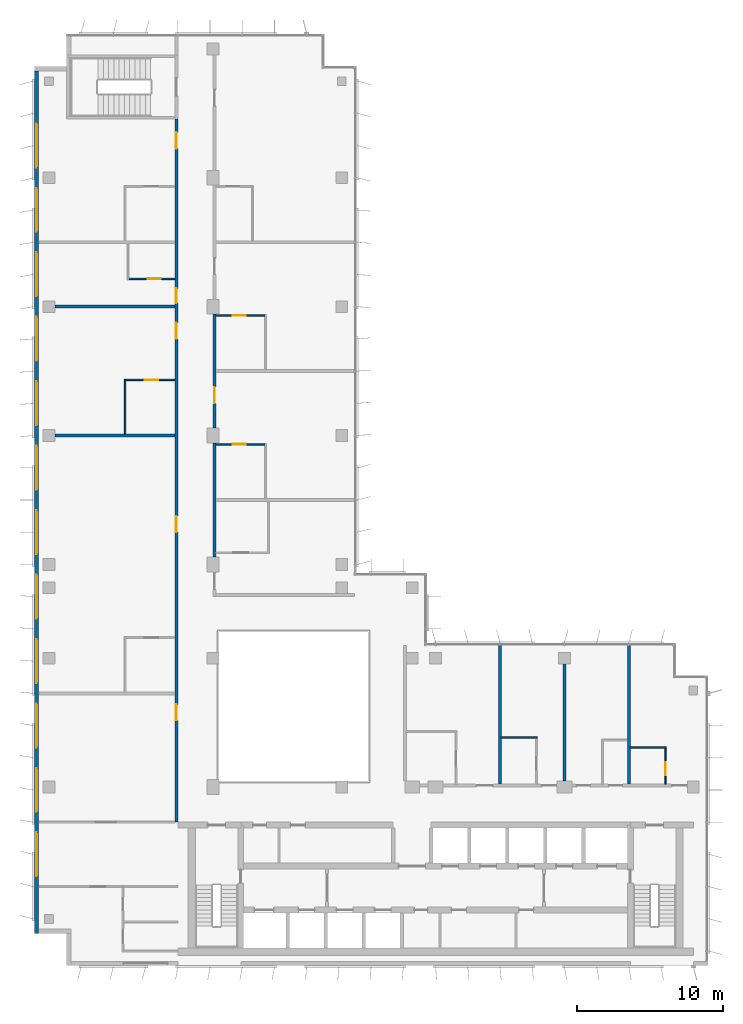
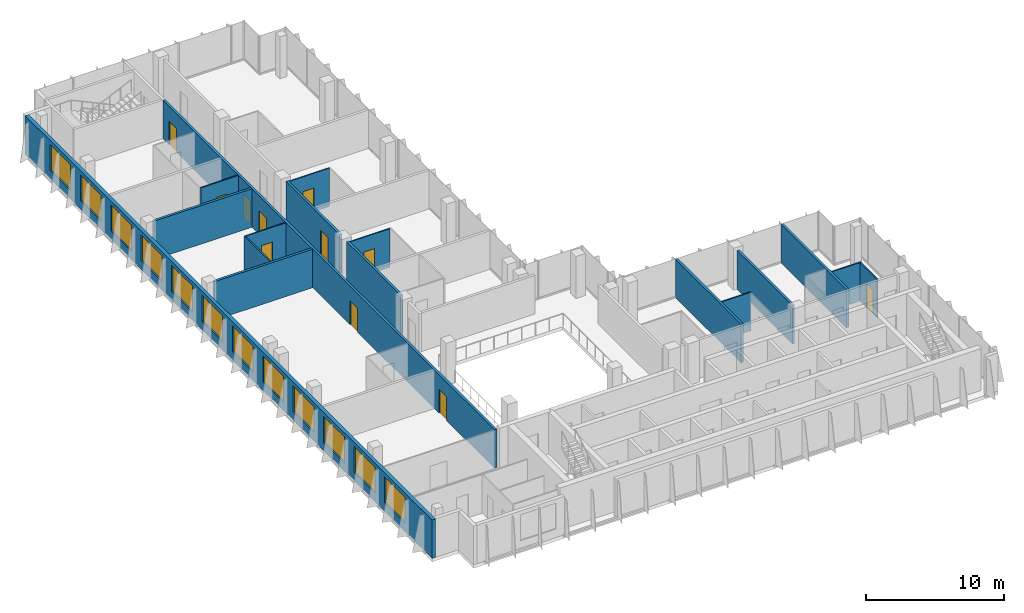
# One storey, part 11 of 15: 17 walls, 12 windows, 11 doors, 23 openings.
"""IFC4 building model written with IfcOpenShell, lengths in metres."""

from ifc_helpers import new_model, si_unit, direction, frame, frame_2d, origin, place, context, subcontext, project, spatial, rectangle, extrude, material, layer, layer_set, type_object, element, fill, save


model = new_model("IFC4")

# Units and contexts
model_context = context("Model", 3, precision=1e-05, world=origin(), true_north=direction((0.0, 1.0)))
body_context = subcontext(model_context, "Body", "Model", "MODEL_VIEW")
ifc_project = project(units=[si_unit("LENGTHUNIT", "METRE"), si_unit("AREAUNIT", "SQUARE_METRE"), si_unit("VOLUMEUNIT", "CUBIC_METRE"), si_unit("PLANEANGLEUNIT", "RADIAN"), si_unit("MASSUNIT", "GRAM", prefix="KILO")], contexts=[model_context])

# Site, building, storey
site_placement = place(None, origin())
site = spatial("IfcSite", under=ifc_project, at=site_placement, CompositionType="ELEMENT")
building_placement = place(site_placement, origin())
building = spatial("IfcBuilding", under=site, at=building_placement, Name="Kemantara Hotel Tower", CompositionType="ELEMENT")
storey_placement = place(building_placement, frame((0.0, 0.0, 290.699951171875)))
storey = spatial("IfcBuildingStorey", under=building, at=storey_placement, Name="L73", CompositionType="ELEMENT", Elevation=290.699951171875)

# Wall, openings, windows
ifc_material_1 = material(Name="Bronze anodised aluminium cladding on insulated steel stud wall", Category="steel")
ifc_layer_1 = layer(ifc_material_1, 0.300048828125)
ifc_layer_set_1 = layer_set([ifc_layer_1], Name="Bronze anodised aluminium cladding on insulated steel stud wall")
wall_type_1 = type_object("IfcWallType", Name="BRONZE METAL-CLAD EXTERNAL WALL 300", PredefinedType="STANDARD", material=ifc_layer_set_1)
wall_1_placement = place(storey_placement, frame((0.14990234375, 61.10009765625, 0.0), z_axis=(0.0, 0.0, 1.0), x_axis=(0.0, -1.0, 0.0)))
wall_1 = element("IfcWall", 1, at=wall_1_placement, inside=storey, type_object=wall_type_1, Name="EXTERNAL WALL L73 T4-R05", PredefinedType="STANDARD", context=body_context, shape_type="SweptSolid", body=[
    extrude(rectangle(XDim=58.900146484375, YDim=0.300048828125, at=frame_2d((29.4501953125, 0.0))), origin(), (0.0, 0.0, 1.0), 3.400146484375),
])
opening_1_placement = place(wall_1_placement, frame((3.60009765625, 0.0, 0.75)))
opening_1 = element("IfcOpeningElement", 2, at=opening_1_placement, cuts=wall_1, Name="Opening W1", PredefinedType="OPENING", context=body_context, shape_type="SweptSolid", body=[
    extrude(rectangle(XDim=3.0, YDim=2.300048828125, at=frame_2d((1.5, 1.14990234375))), frame((0.0, 0.159912109375, 0.0), z_axis=(0.0, -1.0, 0.0), x_axis=(1.0, 0.0, 0.0)), (0.0, 0.0, 1.0), 0.320068359375),
])
opening_2_placement = place(wall_1_placement, frame((8.0, 0.0, 0.75)))
opening_2 = element("IfcOpeningElement", 3, at=opening_2_placement, cuts=wall_1, Name="Opening W1", PredefinedType="OPENING", context=body_context, shape_type="SweptSolid", body=[
    extrude(rectangle(XDim=3.0, YDim=2.300048828125, at=frame_2d((1.5, 1.14990234375))), frame((0.0, 0.159912109375, 0.0), z_axis=(0.0, -1.0, 0.0), x_axis=(1.0, 0.0, 0.0)), (0.0, 0.0, 1.0), 0.320068359375),
])
opening_3_placement = place(wall_1_placement, frame((12.39990234375, 0.0, 0.75)))
opening_3 = element("IfcOpeningElement", 4, at=opening_3_placement, cuts=wall_1, Name="Opening W1", PredefinedType="OPENING", context=body_context, shape_type="SweptSolid", body=[
    extrude(rectangle(XDim=3.0, YDim=2.300048828125, at=frame_2d((1.5, 1.14990234375))), frame((0.0, 0.159912109375, 0.0), z_axis=(0.0, -1.0, 0.0), x_axis=(1.0, 0.0, 0.0)), (0.0, 0.0, 1.0), 0.320068359375),
])
opening_4_placement = place(wall_1_placement, frame((16.800048828125, 0.0, 0.75)))
opening_4 = element("IfcOpeningElement", 5, at=opening_4_placement, cuts=wall_1, Name="Opening W1", PredefinedType="OPENING", context=body_context, shape_type="SweptSolid", body=[
    extrude(rectangle(XDim=3.0, YDim=2.300048828125, at=frame_2d((1.5, 1.14990234375))), frame((0.0, 0.159912109375, 0.0), z_axis=(0.0, -1.0, 0.0), x_axis=(1.0, 0.0, 0.0)), (0.0, 0.0, 1.0), 0.320068359375),
])
opening_5_placement = place(wall_1_placement, frame((21.199951171875, 0.0, 0.75)))
opening_5 = element("IfcOpeningElement", 6, at=opening_5_placement, cuts=wall_1, Name="Opening W1", PredefinedType="OPENING", context=body_context, shape_type="SweptSolid", body=[
    extrude(rectangle(XDim=3.0, YDim=2.300048828125, at=frame_2d((1.5, 1.14990234375))), frame((0.0, 0.159912109375, 0.0), z_axis=(0.0, -1.0, 0.0), x_axis=(1.0, 0.0, 0.0)), (0.0, 0.0, 1.0), 0.320068359375),
])
opening_6_placement = place(wall_1_placement, frame((25.60009765625, 0.0, 0.75)))
opening_6 = element("IfcOpeningElement", 7, at=opening_6_placement, cuts=wall_1, Name="Opening W1", PredefinedType="OPENING", context=body_context, shape_type="SweptSolid", body=[
    extrude(rectangle(XDim=3.0, YDim=2.300048828125, at=frame_2d((1.5, 1.14990234375))), frame((0.0, 0.159912109375, 0.0), z_axis=(0.0, -1.0, 0.0), x_axis=(1.0, 0.0, 0.0)), (0.0, 0.0, 1.0), 0.320068359375),
])
opening_7_placement = place(wall_1_placement, frame((30.0, 0.0, 0.75)))
opening_7 = element("IfcOpeningElement", 8, at=opening_7_placement, cuts=wall_1, Name="Opening W1", PredefinedType="OPENING", context=body_context, shape_type="SweptSolid", body=[
    extrude(rectangle(XDim=3.0, YDim=2.300048828125, at=frame_2d((1.5, 1.14990234375))), frame((0.0, 0.159912109375, 0.0), z_axis=(0.0, -1.0, 0.0), x_axis=(1.0, 0.0, 0.0)), (0.0, 0.0, 1.0), 0.320068359375),
])
opening_8_placement = place(wall_1_placement, frame((34.39990234375, 0.0, 0.75)))
opening_8 = element("IfcOpeningElement", 9, at=opening_8_placement, cuts=wall_1, Name="Opening W1", PredefinedType="OPENING", context=body_context, shape_type="SweptSolid", body=[
    extrude(rectangle(XDim=3.0, YDim=2.300048828125, at=frame_2d((1.5, 1.14990234375))), frame((0.0, 0.159912109375, 0.0), z_axis=(0.0, -1.0, 0.0), x_axis=(1.0, 0.0, 0.0)), (0.0, 0.0, 1.0), 0.320068359375),
])
opening_9_placement = place(wall_1_placement, frame((38.800048828125, 0.0, 0.75)))
opening_9 = element("IfcOpeningElement", 10, at=opening_9_placement, cuts=wall_1, Name="Opening W1", PredefinedType="OPENING", context=body_context, shape_type="SweptSolid", body=[
    extrude(rectangle(XDim=3.0, YDim=2.300048828125, at=frame_2d((1.5, 1.14990234375))), frame((0.0, 0.159912109375, 0.0), z_axis=(0.0, -1.0, 0.0), x_axis=(1.0, 0.0, 0.0)), (0.0, 0.0, 1.0), 0.320068359375),
])
opening_10_placement = place(wall_1_placement, frame((43.199951171875, 0.0, 0.75)))
opening_10 = element("IfcOpeningElement", 11, at=opening_10_placement, cuts=wall_1, Name="Opening W1", PredefinedType="OPENING", context=body_context, shape_type="SweptSolid", body=[
    extrude(rectangle(XDim=3.0, YDim=2.300048828125, at=frame_2d((1.5, 1.14990234375))), frame((0.0, 0.159912109375, 0.0), z_axis=(0.0, -1.0, 0.0), x_axis=(1.0, 0.0, 0.0)), (0.0, 0.0, 1.0), 0.320068359375),
])
opening_11_placement = place(wall_1_placement, frame((47.60009765625, 0.0, 0.75)))
opening_11 = element("IfcOpeningElement", 12, at=opening_11_placement, cuts=wall_1, Name="Opening W1", PredefinedType="OPENING", context=body_context, shape_type="SweptSolid", body=[
    extrude(rectangle(XDim=3.0, YDim=2.300048828125, at=frame_2d((1.5, 1.14990234375))), frame((0.0, 0.159912109375, 0.0), z_axis=(0.0, -1.0, 0.0), x_axis=(1.0, 0.0, 0.0)), (0.0, 0.0, 1.0), 0.320068359375),
])
opening_12_placement = place(wall_1_placement, frame((52.0, 0.0, 0.75)))
opening_12 = element("IfcOpeningElement", 13, at=opening_12_placement, cuts=wall_1, Name="Opening W1", PredefinedType="OPENING", context=body_context, shape_type="SweptSolid", body=[
    extrude(rectangle(XDim=3.0, YDim=2.300048828125, at=frame_2d((1.5, 1.14990234375))), frame((0.0, 0.159912109375, 0.0), z_axis=(0.0, -1.0, 0.0), x_axis=(1.0, 0.0, 0.0)), (0.0, 0.0, 1.0), 0.320068359375),
])
ifc_material_2 = material(Name="Low-E tinted double insulated glass in bronze anodised aluminium frame", Category="aluminium")
window_type = type_object("IfcWindowType", Name="CHICAGO WINDOW, TRIPLE PANEL 3000x2300", PartitioningType="TRIPLE_PANEL_VERTICAL", PredefinedType="WINDOW", material=ifc_material_2)
window_1_placement = place(opening_1_placement, origin())
window_1 = element("IfcWindow", 14, at=window_1_placement, inside=storey, type_object=window_type, Name="CHICAGO WINDOW L73 T4-R05-54", OverallHeight=2.300048828125, OverallWidth=3.0, PartitioningType="SINGLE_PANEL", PredefinedType="WINDOW", context=body_context, shape_type="SweptSolid", body=[
    extrude(rectangle(XDim=3.0, YDim=2.300048828125, at=frame_2d((1.5, 1.14990234375))), frame((0.0, 0.030029296875, 0.0), z_axis=(0.0, -1.0, 0.0), x_axis=(1.0, 0.0, 0.0)), (0.0, 0.0, 1.0), 0.06005859375),
])
fill(opening_1, window_1)
window_2_placement = place(opening_2_placement, origin())
window_2 = element("IfcWindow", 15, at=window_2_placement, inside=storey, type_object=window_type, Name="CHICAGO WINDOW L73 T4-R05-98", OverallHeight=2.300048828125, OverallWidth=3.0, PartitioningType="SINGLE_PANEL", PredefinedType="WINDOW", context=body_context, shape_type="SweptSolid", body=[
    extrude(rectangle(XDim=3.0, YDim=2.300048828125, at=frame_2d((1.5, 1.14990234375))), frame((0.0, 0.030029296875, 0.0), z_axis=(0.0, -1.0, 0.0), x_axis=(1.0, 0.0, 0.0)), (0.0, 0.0, 1.0), 0.06005859375),
])
fill(opening_2, window_2)
window_3_placement = place(opening_3_placement, origin())
window_3 = element("IfcWindow", 16, at=window_3_placement, inside=storey, type_object=window_type, Name="CHICAGO WINDOW L73 T4-R05-142", OverallHeight=2.300048828125, OverallWidth=3.0, PartitioningType="SINGLE_PANEL", PredefinedType="WINDOW", context=body_context, shape_type="SweptSolid", body=[
    extrude(rectangle(XDim=3.0, YDim=2.300048828125, at=frame_2d((1.5, 1.14990234375))), frame((0.0, 0.030029296875, 0.0), z_axis=(0.0, -1.0, 0.0), x_axis=(1.0, 0.0, 0.0)), (0.0, 0.0, 1.0), 0.06005859375),
])
fill(opening_3, window_3)
window_4_placement = place(opening_4_placement, origin())
window_4 = element("IfcWindow", 17, at=window_4_placement, inside=storey, type_object=window_type, Name="CHICAGO WINDOW L73 T4-R05-186", OverallHeight=2.300048828125, OverallWidth=3.0, PartitioningType="SINGLE_PANEL", PredefinedType="WINDOW", context=body_context, shape_type="SweptSolid", body=[
    extrude(rectangle(XDim=3.0, YDim=2.300048828125, at=frame_2d((1.5, 1.14990234375))), frame((0.0, 0.030029296875, 0.0), z_axis=(0.0, -1.0, 0.0), x_axis=(1.0, 0.0, 0.0)), (0.0, 0.0, 1.0), 0.06005859375),
])
fill(opening_4, window_4)
window_5_placement = place(opening_5_placement, origin())
window_5 = element("IfcWindow", 18, at=window_5_placement, inside=storey, type_object=window_type, Name="CHICAGO WINDOW L73 T4-R05-230", OverallHeight=2.300048828125, OverallWidth=3.0, PartitioningType="SINGLE_PANEL", PredefinedType="WINDOW", context=body_context, shape_type="SweptSolid", body=[
    extrude(rectangle(XDim=3.0, YDim=2.300048828125, at=frame_2d((1.5, 1.14990234375))), frame((0.0, 0.030029296875, 0.0), z_axis=(0.0, -1.0, 0.0), x_axis=(1.0, 0.0, 0.0)), (0.0, 0.0, 1.0), 0.06005859375),
])
fill(opening_5, window_5)
window_6_placement = place(opening_6_placement, origin())
window_6 = element("IfcWindow", 19, at=window_6_placement, inside=storey, type_object=window_type, Name="CHICAGO WINDOW L73 T4-R05-274", OverallHeight=2.300048828125, OverallWidth=3.0, PartitioningType="SINGLE_PANEL", PredefinedType="WINDOW", context=body_context, shape_type="SweptSolid", body=[
    extrude(rectangle(XDim=3.0, YDim=2.300048828125, at=frame_2d((1.5, 1.14990234375))), frame((0.0, 0.030029296875, 0.0), z_axis=(0.0, -1.0, 0.0), x_axis=(1.0, 0.0, 0.0)), (0.0, 0.0, 1.0), 0.06005859375),
])
fill(opening_6, window_6)
window_7_placement = place(opening_7_placement, origin())
window_7 = element("IfcWindow", 20, at=window_7_placement, inside=storey, type_object=window_type, Name="CHICAGO WINDOW L73 T4-R05-318", OverallHeight=2.300048828125, OverallWidth=3.0, PartitioningType="SINGLE_PANEL", PredefinedType="WINDOW", context=body_context, shape_type="SweptSolid", body=[
    extrude(rectangle(XDim=3.0, YDim=2.300048828125, at=frame_2d((1.5, 1.14990234375))), frame((0.0, 0.030029296875, 0.0), z_axis=(0.0, -1.0, 0.0), x_axis=(1.0, 0.0, 0.0)), (0.0, 0.0, 1.0), 0.06005859375),
])
fill(opening_7, window_7)
window_8_placement = place(opening_8_placement, origin())
window_8 = element("IfcWindow", 21, at=window_8_placement, inside=storey, type_object=window_type, Name="CHICAGO WINDOW L73 T4-R05-362", OverallHeight=2.300048828125, OverallWidth=3.0, PartitioningType="SINGLE_PANEL", PredefinedType="WINDOW", context=body_context, shape_type="SweptSolid", body=[
    extrude(rectangle(XDim=3.0, YDim=2.300048828125, at=frame_2d((1.5, 1.14990234375))), frame((0.0, 0.030029296875, 0.0), z_axis=(0.0, -1.0, 0.0), x_axis=(1.0, 0.0, 0.0)), (0.0, 0.0, 1.0), 0.06005859375),
])
fill(opening_8, window_8)
window_9_placement = place(opening_9_placement, origin())
window_9 = element("IfcWindow", 22, at=window_9_placement, inside=storey, type_object=window_type, Name="CHICAGO WINDOW L73 T4-R05-406", OverallHeight=2.300048828125, OverallWidth=3.0, PartitioningType="SINGLE_PANEL", PredefinedType="WINDOW", context=body_context, shape_type="SweptSolid", body=[
    extrude(rectangle(XDim=3.0, YDim=2.300048828125, at=frame_2d((1.5, 1.14990234375))), frame((0.0, 0.030029296875, 0.0), z_axis=(0.0, -1.0, 0.0), x_axis=(1.0, 0.0, 0.0)), (0.0, 0.0, 1.0), 0.06005859375),
])
fill(opening_9, window_9)
window_10_placement = place(opening_10_placement, origin())
window_10 = element("IfcWindow", 23, at=window_10_placement, inside=storey, type_object=window_type, Name="CHICAGO WINDOW L73 T4-R05-450", OverallHeight=2.300048828125, OverallWidth=3.0, PartitioningType="SINGLE_PANEL", PredefinedType="WINDOW", context=body_context, shape_type="SweptSolid", body=[
    extrude(rectangle(XDim=3.0, YDim=2.300048828125, at=frame_2d((1.5, 1.14990234375))), frame((0.0, 0.030029296875, 0.0), z_axis=(0.0, -1.0, 0.0), x_axis=(1.0, 0.0, 0.0)), (0.0, 0.0, 1.0), 0.06005859375),
])
fill(opening_10, window_10)
window_11_placement = place(opening_11_placement, origin())
window_11 = element("IfcWindow", 24, at=window_11_placement, inside=storey, type_object=window_type, Name="CHICAGO WINDOW L73 T4-R05-494", OverallHeight=2.300048828125, OverallWidth=3.0, PartitioningType="SINGLE_PANEL", PredefinedType="WINDOW", context=body_context, shape_type="SweptSolid", body=[
    extrude(rectangle(XDim=3.0, YDim=2.300048828125, at=frame_2d((1.5, 1.14990234375))), frame((0.0, 0.030029296875, 0.0), z_axis=(0.0, -1.0, 0.0), x_axis=(1.0, 0.0, 0.0)), (0.0, 0.0, 1.0), 0.06005859375),
])
fill(opening_11, window_11)
window_12_placement = place(opening_12_placement, origin())
window_12 = element("IfcWindow", 25, at=window_12_placement, inside=storey, type_object=window_type, Name="CHICAGO WINDOW L73 T4-R05-538", OverallHeight=2.300048828125, OverallWidth=3.0, PartitioningType="SINGLE_PANEL", PredefinedType="WINDOW", context=body_context, shape_type="SweptSolid", body=[
    extrude(rectangle(XDim=3.0, YDim=2.300048828125, at=frame_2d((1.5, 1.14990234375))), frame((0.0, 0.030029296875, 0.0), z_axis=(0.0, -1.0, 0.0), x_axis=(1.0, 0.0, 0.0)), (0.0, 0.0, 1.0), 0.06005859375),
])
fill(opening_12, window_12)

# Wall, openings, doors
ifc_material_3 = material(Name="Gypsum board partition, steel studs and mineral wool, 200 mm", Category="steel")
ifc_layer_2 = layer(ifc_material_3, 0.199951171875)
ifc_layer_set_2 = layer_set([ifc_layer_2], Name="Gypsum board partition, steel studs and mineral wool, 200 mm")
wall_type_2 = type_object("IfcWallType", Name="CORRIDOR WALL 200", PredefinedType="PARTITIONING", material=ifc_layer_set_2)
wall_2_placement = place(storey_placement, frame((9.699951171875, 9.800048828125, 0.0), z_axis=(0.0, 0.0, 1.0), x_axis=(0.0, 1.0, 0.0)))
wall_2 = element("IfcWall", 26, at=wall_2_placement, inside=storey, type_object=wall_type_2, Name="CORRIDOR WALL 200 008", PredefinedType="PARTITIONING", context=body_context, shape_type="SweptSolid", body=[
    extrude(rectangle(XDim=48.0, YDim=0.199951171875, at=frame_2d((24.0, 0.0))), origin(), (0.0, 0.0, 1.0), 3.400146484375),
])
opening_13_placement = place(wall_2_placement, frame((6.949951171875, 0.0, 0.0)))
opening_13 = element("IfcOpeningElement", 27, at=opening_13_placement, cuts=wall_2, Name="Opening F36-009", PredefinedType="OPENING", context=body_context, shape_type="SweptSolid", body=[
    extrude(rectangle(XDim=1.10009765625, YDim=2.10009765625, at=frame_2d((0.550048828125, 1.050048828125))), frame((0.0, 0.10986328125, 0.0), z_axis=(0.0, -1.0, 0.0), x_axis=(1.0, 0.0, 0.0)), (0.0, 0.0, 1.0), 0.219970703125),
])
opening_14_placement = place(wall_2_placement, frame((19.800048828125, 0.0, 0.0)))
opening_14 = element("IfcOpeningElement", 28, at=opening_14_placement, cuts=wall_2, Name="Opening F36-014", PredefinedType="OPENING", context=body_context, shape_type="SweptSolid", body=[
    extrude(rectangle(XDim=1.10009765625, YDim=2.10009765625, at=frame_2d((0.550048828125, 1.050048828125))), frame((0.0, 0.10986328125, 0.0), z_axis=(0.0, -1.0, 0.0), x_axis=(1.0, 0.0, 0.0)), (0.0, 0.0, 1.0), 0.219970703125),
])
opening_15_placement = place(wall_2_placement, frame((33.0, 0.0, 0.0)))
opening_15 = element("IfcOpeningElement", 29, at=opening_15_placement, cuts=wall_2, Name="Opening F36-016", PredefinedType="OPENING", context=body_context, shape_type="SweptSolid", body=[
    extrude(rectangle(XDim=1.10009765625, YDim=2.10009765625, at=frame_2d((0.550048828125, 1.050048828125))), frame((0.0, 0.10986328125, 0.0), z_axis=(0.0, -1.0, 0.0), x_axis=(1.0, 0.0, 0.0)), (0.0, 0.0, 1.0), 0.219970703125),
])
opening_16_placement = place(wall_2_placement, frame((35.449951171875, 0.0, 0.0)))
opening_16 = element("IfcOpeningElement", 30, at=opening_16_placement, cuts=wall_2, Name="Opening F36-018", PredefinedType="OPENING", context=body_context, shape_type="SweptSolid", body=[
    extrude(rectangle(XDim=1.0, YDim=2.10009765625, at=frame_2d((0.5, 1.050048828125))), frame((0.0, 0.10986328125, 0.0), z_axis=(0.0, -1.0, 0.0), x_axis=(1.0, 0.0, 0.0)), (0.0, 0.0, 1.0), 0.219970703125),
])
opening_17_placement = place(wall_2_placement, frame((46.0, 0.0, 0.0)))
opening_17 = element("IfcOpeningElement", 31, at=opening_17_placement, cuts=wall_2, Name="Opening F36-020", PredefinedType="OPENING", context=body_context, shape_type="SweptSolid", body=[
    extrude(rectangle(XDim=1.10009765625, YDim=2.10009765625, at=frame_2d((0.550048828125, 1.050048828125))), frame((0.0, 0.10986328125, 0.0), z_axis=(0.0, -1.0, 0.0), x_axis=(1.0, 0.0, 0.0)), (0.0, 0.0, 1.0), 0.219970703125),
])
ifc_material_4 = material(Name="Hardwood veneer door leaf with steel frame", Category="steel")
door_type_1 = type_object("IfcDoorType", Name="GUEST ROOM DOOR 1000 X 2100 FD30S", OperationType="NOTDEFINED", PredefinedType="DOOR", material=ifc_material_4)
door_1_placement = place(opening_16_placement, origin())
door_1 = element("IfcDoor", 32, at=door_1_placement, inside=storey, type_object=door_type_1, Name="GUEST ROOM DOOR F36-018", OperationType="SINGLE_SWING_LEFT", OverallHeight=2.10009765625, OverallWidth=1.0, PredefinedType="DOOR", context=body_context, shape_type="SweptSolid", body=[
    extrude(rectangle(XDim=1.0, YDim=2.10009765625, at=frame_2d((0.5, 1.050048828125))), frame((0.0, 0.02490234375, 0.0), z_axis=(0.0, -1.0, 0.0), x_axis=(1.0, 0.0, 0.0)), (0.0, 0.0, 1.0), 0.050048828125),
])
fill(opening_16, door_1)
door_type_2 = type_object("IfcDoorType", Name="SUITE ENTRANCE DOOR 1100 X 2100 FD30S", OperationType="NOTDEFINED", PredefinedType="DOOR", material=ifc_material_4)
door_2_placement = place(opening_13_placement, origin())
door_2 = element("IfcDoor", 33, at=door_2_placement, inside=storey, type_object=door_type_2, Name="SUITE ENTRANCE DOOR F36-009", OperationType="SINGLE_SWING_RIGHT", OverallHeight=2.10009765625, OverallWidth=1.10009765625, PredefinedType="DOOR", context=body_context, shape_type="SweptSolid", body=[
    extrude(rectangle(XDim=1.10009765625, YDim=2.10009765625, at=frame_2d((0.550048828125, 1.050048828125))), frame((0.0, 0.02490234375, 0.0), z_axis=(0.0, -1.0, 0.0), x_axis=(1.0, 0.0, 0.0)), (0.0, 0.0, 1.0), 0.050048828125),
])
fill(opening_13, door_2)
door_3_placement = place(opening_14_placement, origin())
door_3 = element("IfcDoor", 34, at=door_3_placement, inside=storey, type_object=door_type_2, Name="SUITE ENTRANCE DOOR F36-014", OperationType="SINGLE_SWING_RIGHT", OverallHeight=2.10009765625, OverallWidth=1.10009765625, PredefinedType="DOOR", context=body_context, shape_type="SweptSolid", body=[
    extrude(rectangle(XDim=1.10009765625, YDim=2.10009765625, at=frame_2d((0.550048828125, 1.050048828125))), frame((0.0, 0.02490234375, 0.0), z_axis=(0.0, -1.0, 0.0), x_axis=(1.0, 0.0, 0.0)), (0.0, 0.0, 1.0), 0.050048828125),
])
fill(opening_14, door_3)
door_4_placement = place(opening_15_placement, origin())
door_4 = element("IfcDoor", 35, at=door_4_placement, inside=storey, type_object=door_type_2, Name="SUITE ENTRANCE DOOR F36-016", OperationType="SINGLE_SWING_RIGHT", OverallHeight=2.10009765625, OverallWidth=1.10009765625, PredefinedType="DOOR", context=body_context, shape_type="SweptSolid", body=[
    extrude(rectangle(XDim=1.10009765625, YDim=2.10009765625, at=frame_2d((0.550048828125, 1.050048828125))), frame((0.0, 0.02490234375, 0.0), z_axis=(0.0, -1.0, 0.0), x_axis=(1.0, 0.0, 0.0)), (0.0, 0.0, 1.0), 0.050048828125),
])
fill(opening_15, door_4)
door_5_placement = place(opening_17_placement, origin())
door_5 = element("IfcDoor", 36, at=door_5_placement, inside=storey, type_object=door_type_2, Name="SUITE ENTRANCE DOOR F36-020", OperationType="SINGLE_SWING_RIGHT", OverallHeight=2.10009765625, OverallWidth=1.10009765625, PredefinedType="DOOR", context=body_context, shape_type="SweptSolid", body=[
    extrude(rectangle(XDim=1.10009765625, YDim=2.10009765625, at=frame_2d((0.550048828125, 1.050048828125))), frame((0.0, 0.02490234375, 0.0), z_axis=(0.0, -1.0, 0.0), x_axis=(1.0, 0.0, 0.0)), (0.0, 0.0, 1.0), 0.050048828125),
])
fill(opening_17, door_5)

# Wall
wall_3_placement = place(storey_placement, frame((12.300048828125, 27.900146484375, 0.0), z_axis=(0.0, 0.0, 1.0), x_axis=(0.0, 1.0, 0.0)))
element("IfcWall", 37, at=wall_3_placement, inside=storey, type_object=wall_type_2, Name="CORRIDOR WALL 200 016", PredefinedType="PARTITIONING", context=body_context, shape_type="SweptSolid", body=[
    extrude(rectangle(XDim=7.7998046875, YDim=0.199951171875, at=frame_2d((3.89990234375, 0.0))), origin(), (0.0, 0.0, 1.0), 3.400146484375),
])

# Wall, opening, door
wall_4_placement = place(storey_placement, frame((12.300048828125, 44.5, 0.0), z_axis=(0.0, 0.0, 1.0), x_axis=(0.0, -1.0, 0.0)))
wall_4 = element("IfcWall", 38, at=wall_4_placement, inside=storey, type_object=wall_type_2, Name="CORRIDOR WALL 200 017", PredefinedType="PARTITIONING", context=body_context, shape_type="SweptSolid", body=[
    extrude(rectangle(XDim=7.7998046875, YDim=0.199951171875, at=frame_2d((3.89990234375, 0.0))), origin(), (0.0, 0.0, 1.0), 3.400146484375),
])
opening_18_placement = place(wall_4_placement, frame((5.0, 0.0, 0.0)))
opening_18 = element("IfcOpeningElement", 39, at=opening_18_placement, cuts=wall_4, Name="Opening F36-024", PredefinedType="OPENING", context=body_context, shape_type="SweptSolid", body=[
    extrude(rectangle(XDim=1.10009765625, YDim=2.10009765625, at=frame_2d((0.550048828125, 1.050048828125))), frame((0.0, 0.10986328125, 0.0), z_axis=(0.0, -1.0, 0.0), x_axis=(1.0, 0.0, 0.0)), (0.0, 0.0, 1.0), 0.219970703125),
])
door_6_placement = place(opening_18_placement, origin())
door_6 = element("IfcDoor", 40, at=door_6_placement, inside=storey, type_object=door_type_2, Name="SUITE ENTRANCE DOOR F36-024", OperationType="SINGLE_SWING_LEFT", OverallHeight=2.10009765625, OverallWidth=1.10009765625, PredefinedType="DOOR", context=body_context, shape_type="SweptSolid", body=[
    extrude(rectangle(XDim=1.10009765625, YDim=2.10009765625, at=frame_2d((0.550048828125, 1.050048828125))), frame((0.0, 0.02490234375, 0.0), z_axis=(0.0, -1.0, 0.0), x_axis=(1.0, 0.0, 0.0)), (0.0, 0.0, 1.0), 0.050048828125),
])
fill(opening_18, door_6)

# Walls
ifc_layer_3 = layer(ifc_material_3, 0.199951171875)
ifc_layer_set_3 = layer_set([ifc_layer_3], Name="Gypsum board partition, steel studs and mineral wool, 200 mm")
wall_type_3 = type_object("IfcWallType", Name="GUEST ROOM PARTY WALL 200", PredefinedType="PARTITIONING", material=ifc_layer_set_3)
wall_5_placement = place(storey_placement, frame((31.800048828125, 12.39990234375, 0.0), z_axis=(0.0, 0.0, 1.0), x_axis=(0.0, 1.0, 0.0)))
element("IfcWall", 41, at=wall_5_placement, inside=storey, type_object=wall_type_3, Name="GUEST ROOM PARTY WALL 200 005", PredefinedType="PARTITIONING", context=body_context, shape_type="SweptSolid", body=[
    extrude(rectangle(XDim=9.47021484375, YDim=0.199951171875, at=frame_2d((4.735107421875, 0.0))), origin(), (0.0, 0.0, 1.0), 3.400146484375),
])
wall_6_placement = place(storey_placement, frame((36.199951171875, 12.60009765625, 0.0), z_axis=(0.0, 0.0, 1.0), x_axis=(0.0, 1.0, 0.0)))
element("IfcWall", 42, at=wall_6_placement, inside=storey, type_object=wall_type_3, Name="GUEST ROOM PARTY WALL 200 006", PredefinedType="PARTITIONING", context=body_context, shape_type="SweptSolid", body=[
    extrude(rectangle(XDim=7.999755859375, YDim=0.199951171875, at=frame_2d((4.0, 0.0))), origin(), (0.0, 0.0, 1.0), 3.400146484375),
])
wall_7_placement = place(storey_placement, frame((40.60009765625, 12.39990234375, 0.0), z_axis=(0.0, 0.0, 1.0), x_axis=(0.0, 1.0, 0.0)))
element("IfcWall", 43, at=wall_7_placement, inside=storey, type_object=wall_type_3, Name="GUEST ROOM PARTY WALL 200 007", PredefinedType="PARTITIONING", context=body_context, shape_type="SweptSolid", body=[
    extrude(rectangle(XDim=9.47021484375, YDim=0.199951171875, at=frame_2d((4.735107421875, 0.0))), origin(), (0.0, 0.0, 1.0), 3.400146484375),
])
for number, where, z_axis, x_axis, name in (
    (44, (1.400146484375, 36.199951171875, 0.0), (0.0, 0.0, 1.0), (1.0, 0.0, 0.0), "GUEST ROOM PARTY WALL 200 011"),
    (45, (1.400146484375, 45.0, 0.0), (0.0, 0.0, 1.0), (1.0, 0.0, 0.0), "GUEST ROOM PARTY WALL 200 012"),
):
    element("IfcWall", number, at=place(storey_placement, frame(where, z_axis=z_axis, x_axis=x_axis)), inside=storey, type_object=wall_type_3, Name=name, PredefinedType="PARTITIONING", context=body_context, shape_type="SweptSolid", body=[
        extrude(rectangle(XDim=8.199951171875, YDim=0.199951171875, at=frame_2d((4.10009765625, 0.0))), origin(), (0.0, 0.0, 1.0), 3.400146484375),
    ])
ifc_material_5 = material(Name="Gypsum board partition on steel studs, 100 mm", Category="steel")
ifc_layer_4 = layer(ifc_material_5, 0.10009765625)
ifc_layer_set_4 = layer_set([ifc_layer_4], Name="Gypsum board partition on steel studs, 100 mm")
wall_type_4 = type_object("IfcWallType", Name="ROOM PARTITION 100", PredefinedType="PARTITIONING", material=ifc_layer_set_4)
wall_8_placement = place(storey_placement, frame((31.89990234375, 15.60009765625, 0.0), z_axis=(0.0, 0.0, 1.0), x_axis=(1.0, 0.0, 0.0)))
element("IfcWall", 46, at=wall_8_placement, inside=storey, type_object=wall_type_4, Name="ROOM PARTITION 100 025", PredefinedType="PARTITIONING", context=body_context, shape_type="SweptSolid", body=[
    extrude(rectangle(XDim=2.4501953125, YDim=0.10009765625, at=frame_2d((1.22509765625, 0.0))), origin(), (0.0, 0.0, 1.0), 3.400146484375),
])
wall_9_placement = place(storey_placement, frame((40.699951171875, 14.89990234375, 0.0), z_axis=(0.0, 0.0, 1.0), x_axis=(1.0, 0.0, 0.0)))
element("IfcWall", 47, at=wall_9_placement, inside=storey, type_object=wall_type_4, Name="ROOM PARTITION 100 029", PredefinedType="PARTITIONING", context=body_context, shape_type="SweptSolid", body=[
    extrude(rectangle(XDim=2.449951171875, YDim=0.10009765625, at=frame_2d((1.22509765625, 0.0))), origin(), (0.0, 0.0, 1.0), 3.400146484375),
])

# Wall, opening, door
wall_10_placement = place(storey_placement, frame((43.10009765625, 12.39990234375, 0.0), z_axis=(0.0, 0.0, 1.0), x_axis=(0.0, 1.0, 0.0)))
wall_10 = element("IfcWall", 48, at=wall_10_placement, inside=storey, type_object=wall_type_4, Name="ROOM PARTITION 100 030", PredefinedType="PARTITIONING", context=body_context, shape_type="SweptSolid", body=[
    extrude(rectangle(XDim=2.4501953125, YDim=0.10009765625, at=frame_2d((1.22509765625, 0.0))), origin(), (0.0, 0.0, 1.0), 3.400146484375),
])
opening_19_placement = place(wall_10_placement, frame((0.60009765625, 0.0, 0.0)))
opening_19 = element("IfcOpeningElement", 49, at=opening_19_placement, cuts=wall_10, Name="Opening F36-008", PredefinedType="OPENING", context=body_context, shape_type="SweptSolid", body=[
    extrude(rectangle(XDim=0.89990234375, YDim=2.10009765625, at=frame_2d((0.449951171875, 1.050048828125))), frame((0.0, 0.06005859375, 0.0), z_axis=(0.0, -1.0, 0.0), x_axis=(1.0, 0.0, 0.0)), (0.0, 0.0, 1.0), 0.1201171875),
])
door_type_3 = type_object("IfcDoorType", Name="BATHROOM DOOR 900 X 2100", OperationType="NOTDEFINED", PredefinedType="DOOR", material=ifc_material_4)
door_7_placement = place(opening_19_placement, origin())
door_7 = element("IfcDoor", 50, at=door_7_placement, inside=storey, type_object=door_type_3, Name="BATHROOM DOOR F36-008", OperationType="SINGLE_SWING_LEFT", OverallHeight=2.10009765625, OverallWidth=0.89990234375, PredefinedType="DOOR", context=body_context, shape_type="SweptSolid", body=[
    extrude(rectangle(XDim=0.89990234375, YDim=2.10009765625, at=frame_2d((0.449951171875, 1.050048828125))), frame((0.0, 0.02490234375, 0.0), z_axis=(0.0, -1.0, 0.0), x_axis=(1.0, 0.0, 0.0)), (0.0, 0.0, 1.0), 0.050048828125),
])
fill(opening_19, door_7)

# Wall
wall_11_placement = place(storey_placement, frame((6.199951171875, 36.300048828125, 0.0), z_axis=(0.0, 0.0, 1.0), x_axis=(0.0, 1.0, 0.0)))
element("IfcWall", 51, at=wall_11_placement, inside=storey, type_object=wall_type_4, Name="ROOM PARTITION 100 037", PredefinedType="PARTITIONING", context=body_context, shape_type="SweptSolid", body=[
    extrude(rectangle(XDim=3.75, YDim=0.10009765625, at=frame_2d((1.875, 0.0))), origin(), (0.0, 0.0, 1.0), 3.400146484375),
])

# Wall, opening, door
wall_12_placement = place(storey_placement, frame((9.60009765625, 40.0, 0.0), z_axis=(0.0, 0.0, 1.0), x_axis=(-1.0, 0.0, 0.0)))
wall_12 = element("IfcWall", 52, at=wall_12_placement, inside=storey, type_object=wall_type_4, Name="ROOM PARTITION 100 040", PredefinedType="PARTITIONING", context=body_context, shape_type="SweptSolid", body=[
    extrude(rectangle(XDim=3.35009765625, YDim=0.10009765625, at=frame_2d((1.675048828125, 0.0))), origin(), (0.0, 0.0, 1.0), 3.400146484375),
])
opening_20_placement = place(wall_12_placement, frame((1.14990234375, 0.0, 0.0)))
opening_20 = element("IfcOpeningElement", 53, at=opening_20_placement, cuts=wall_12, Name="Opening F36-017", PredefinedType="OPENING", context=body_context, shape_type="SweptSolid", body=[
    extrude(rectangle(XDim=0.89990234375, YDim=2.10009765625, at=frame_2d((0.449951171875, 1.050048828125))), frame((0.0, 0.06005859375, 0.0), z_axis=(0.0, -1.0, 0.0), x_axis=(1.0, 0.0, 0.0)), (0.0, 0.0, 1.0), 0.1201171875),
])
door_8_placement = place(opening_20_placement, origin())
door_8 = element("IfcDoor", 54, at=door_8_placement, inside=storey, type_object=door_type_3, Name="BATHROOM DOOR F36-017", OperationType="SINGLE_SWING_LEFT", OverallHeight=2.10009765625, OverallWidth=0.89990234375, PredefinedType="DOOR", context=body_context, shape_type="SweptSolid", body=[
    extrude(rectangle(XDim=0.89990234375, YDim=2.10009765625, at=frame_2d((0.449951171875, 1.050048828125))), frame((0.0, 0.02490234375, 0.0), z_axis=(0.0, -1.0, 0.0), x_axis=(1.0, 0.0, 0.0)), (0.0, 0.0, 1.0), 0.050048828125),
])
fill(opening_20, door_8)

wall_13_placement = place(storey_placement, frame((6.449951171875, 46.89990234375, 0.0), z_axis=(0.0, 0.0, 1.0), x_axis=(1.0, 0.0, 0.0)))
wall_13 = element("IfcWall", 55, at=wall_13_placement, inside=storey, type_object=wall_type_4, Name="ROOM PARTITION 100 042", PredefinedType="PARTITIONING", context=body_context, shape_type="SweptSolid", body=[
    extrude(rectangle(XDim=3.150146484375, YDim=0.10009765625, at=frame_2d((1.5751953125, 0.0))), origin(), (0.0, 0.0, 1.0), 3.400146484375),
])
opening_21_placement = place(wall_13_placement, frame((1.300048828125, 0.0, 0.0)))
opening_21 = element("IfcOpeningElement", 56, at=opening_21_placement, cuts=wall_13, Name="Opening F36-019", PredefinedType="OPENING", context=body_context, shape_type="SweptSolid", body=[
    extrude(rectangle(XDim=0.89990234375, YDim=2.10009765625, at=frame_2d((0.449951171875, 1.050048828125))), frame((0.0, 0.06005859375, 0.0), z_axis=(0.0, -1.0, 0.0), x_axis=(1.0, 0.0, 0.0)), (0.0, 0.0, 1.0), 0.1201171875),
])
door_9_placement = place(opening_21_placement, origin())
door_9 = element("IfcDoor", 57, at=door_9_placement, inside=storey, type_object=door_type_3, Name="BATHROOM DOOR F36-019", OperationType="SINGLE_SWING_RIGHT", OverallHeight=2.10009765625, OverallWidth=0.89990234375, PredefinedType="DOOR", context=body_context, shape_type="SweptSolid", body=[
    extrude(rectangle(XDim=0.89990234375, YDim=2.10009765625, at=frame_2d((0.449951171875, 1.050048828125))), frame((0.0, 0.02490234375, 0.0), z_axis=(0.0, -1.0, 0.0), x_axis=(1.0, 0.0, 0.0)), (0.0, 0.0, 1.0), 0.050048828125),
])
fill(opening_21, door_9)

wall_14_placement = place(storey_placement, frame((15.75, 35.60009765625, 0.0), z_axis=(0.0, 0.0, 1.0), x_axis=(-1.0, 0.0, 0.0)))
wall_14 = element("IfcWall", 58, at=wall_14_placement, inside=storey, type_object=wall_type_4, Name="ROOM PARTITION 100 049", PredefinedType="PARTITIONING", context=body_context, shape_type="SweptSolid", body=[
    extrude(rectangle(XDim=3.35009765625, YDim=0.10009765625, at=frame_2d((1.675048828125, 0.0))), origin(), (0.0, 0.0, 1.0), 3.400146484375),
])
opening_22_placement = place(wall_14_placement, frame((1.300048828125, 0.0, 0.0)))
opening_22 = element("IfcOpeningElement", 59, at=opening_22_placement, cuts=wall_14, Name="Opening F36-025", PredefinedType="OPENING", context=body_context, shape_type="SweptSolid", body=[
    extrude(rectangle(XDim=0.89990234375, YDim=2.10009765625, at=frame_2d((0.449951171875, 1.050048828125))), frame((0.0, 0.06005859375, 0.0), z_axis=(0.0, -1.0, 0.0), x_axis=(1.0, 0.0, 0.0)), (0.0, 0.0, 1.0), 0.1201171875),
])
door_10_placement = place(opening_22_placement, origin())
door_10 = element("IfcDoor", 60, at=door_10_placement, inside=storey, type_object=door_type_3, Name="BATHROOM DOOR F36-025", OperationType="SINGLE_SWING_RIGHT", OverallHeight=2.10009765625, OverallWidth=0.89990234375, PredefinedType="DOOR", context=body_context, shape_type="SweptSolid", body=[
    extrude(rectangle(XDim=0.89990234375, YDim=2.10009765625, at=frame_2d((0.449951171875, 1.050048828125))), frame((0.0, 0.02490234375, 0.0), z_axis=(0.0, -1.0, 0.0), x_axis=(1.0, 0.0, 0.0)), (0.0, 0.0, 1.0), 0.050048828125),
])
fill(opening_22, door_10)

wall_15_placement = place(storey_placement, frame((15.75, 44.39990234375, 0.0), z_axis=(0.0, 0.0, 1.0), x_axis=(-1.0, 0.0, 0.0)))
wall_15 = element("IfcWall", 61, at=wall_15_placement, inside=storey, type_object=wall_type_4, Name="ROOM PARTITION 100 050", PredefinedType="PARTITIONING", context=body_context, shape_type="SweptSolid", body=[
    extrude(rectangle(XDim=3.35009765625, YDim=0.10009765625, at=frame_2d((1.675048828125, 0.0))), origin(), (0.0, 0.0, 1.0), 3.400146484375),
])
opening_23_placement = place(wall_15_placement, frame((1.300048828125, 0.0, 0.0)))
opening_23 = element("IfcOpeningElement", 62, at=opening_23_placement, cuts=wall_15, Name="Opening F36-027", PredefinedType="OPENING", context=body_context, shape_type="SweptSolid", body=[
    extrude(rectangle(XDim=0.89990234375, YDim=2.10009765625, at=frame_2d((0.449951171875, 1.050048828125))), frame((0.0, 0.06005859375, 0.0), z_axis=(0.0, -1.0, 0.0), x_axis=(1.0, 0.0, 0.0)), (0.0, 0.0, 1.0), 0.1201171875),
])
door_11_placement = place(opening_23_placement, origin())
door_11 = element("IfcDoor", 63, at=door_11_placement, inside=storey, type_object=door_type_3, Name="BATHROOM DOOR F36-027", OperationType="SINGLE_SWING_RIGHT", OverallHeight=2.10009765625, OverallWidth=0.89990234375, PredefinedType="DOOR", context=body_context, shape_type="SweptSolid", body=[
    extrude(rectangle(XDim=0.89990234375, YDim=2.10009765625, at=frame_2d((0.449951171875, 1.050048828125))), frame((0.0, 0.02490234375, 0.0), z_axis=(0.0, -1.0, 0.0), x_axis=(1.0, 0.0, 0.0)), (0.0, 0.0, 1.0), 0.050048828125),
])
fill(opening_23, door_11)

save(model, "model.ifc")
